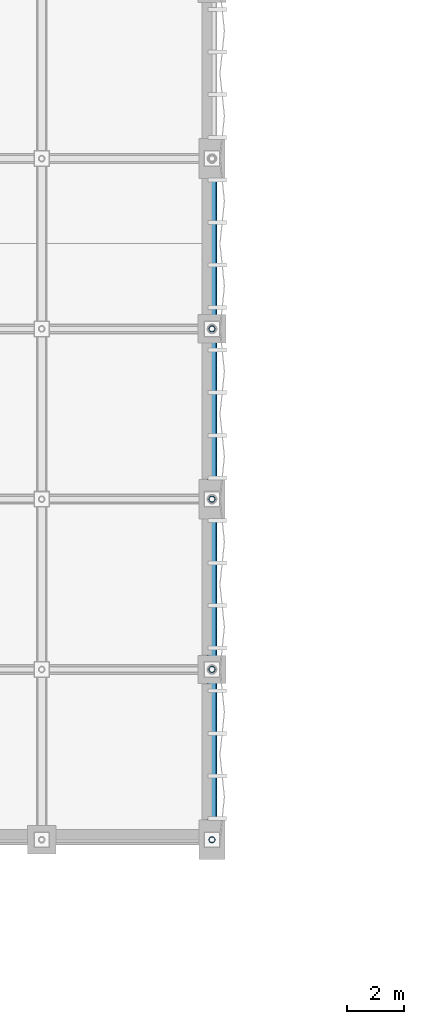
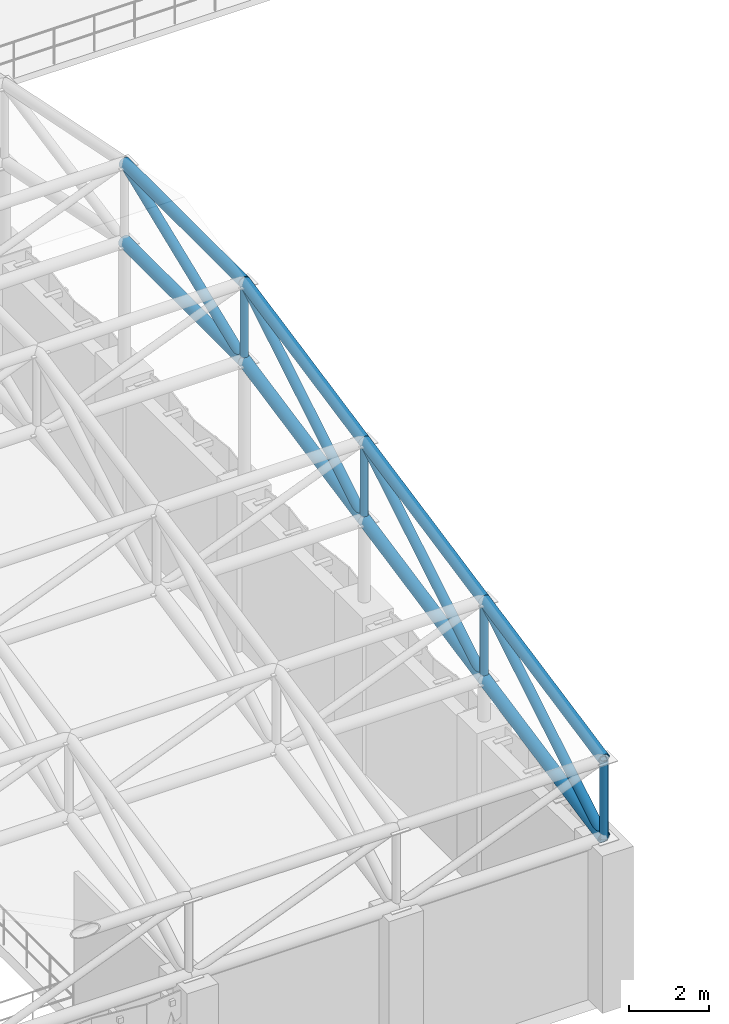
# One storey, part 23 of 112: 16 members.
"""IFC4 building model written with IfcOpenShell, lengths in metres."""

import ifcopenshell
import ifcopenshell.guid

model = None  # the IFC model being written
_history = None  # IfcOwnerHistory: only IFC2X3 demands one
_inside = {}  # id of a spatial element -> (the spatial element, [elements in it])
_under = {}  # id of a project, library or spatial element -> (it, [spatial elements below it])
_declared = {}  # id of a project -> (the project, [libraries it declares])
_typed = {}  # id of a type object -> (the type object, [elements of that type])
_made_of = {}  # id of a material, layer set ... -> (it, [elements and type objects made of it])


def new_model(schema):
    """Start an empty IFC model of exactly this schema.

    Asked for "IFC4X3", IfcOpenShell would pick the latest addendum, in which some entities
    have other attributes; the version numbers below select the first issue.
    IFC2X3 requires an IfcOwnerHistory on every rooted entity: one is made here for all.
    """
    global model, _history
    if schema == "IFC4X3":
        model = ifcopenshell.file(schema_version=(4, 3, 0, 0))
    else:
        model = ifcopenshell.file(schema=schema)
    _inside.clear()
    _under.clear()
    _declared.clear()
    _typed.clear()
    _made_of.clear()
    _history = None
    if model.schema == "IFC2X3":
        org = make("IfcOrganization", Name="unknown")
        user = make(
            "IfcPersonAndOrganization",
            ThePerson=make("IfcPerson", FamilyName="unknown"),
            TheOrganization=org,
        )
        app = make(
            "IfcApplication",
            ApplicationDeveloper=org,
            Version="unknown",
            ApplicationFullName="unknown",
            ApplicationIdentifier="unknown",
        )
        _history = make(
            "IfcOwnerHistory",
            OwningUser=user,
            OwningApplication=app,
            ChangeAction="ADDED",
            CreationDate=0,
        )
    return model


def make(cls, **values):
    """One entity of the class cls with the attributes given. An attribute that is None is left unset."""
    return model.create_entity(
        cls, **{name: value for name, value in values.items() if value is not None}
    )


def rooted(cls, **values):
    """An entity with a GlobalId (a new one), such as an element, a storey or a relation."""
    return make(cls, GlobalId=ifcopenshell.guid.new(), OwnerHistory=_history, **values)


def si_unit(unit_type, name, prefix=None):
    """IfcSIUnit, for example si_unit("LENGTHUNIT", "METRE", prefix="MILLI")."""
    return make("IfcSIUnit", UnitType=unit_type, Prefix=prefix, Name=name)


def assignment(units):
    """IfcUnitAssignment: the units of a project."""
    return None if units is None else make("IfcUnitAssignment", Units=units)


def point(xyz):
    """IfcCartesianPoint."""
    return None if xyz is None else make("IfcCartesianPoint", Coordinates=xyz)


def direction(xyz):
    """IfcDirection."""
    return None if xyz is None else make("IfcDirection", DirectionRatios=xyz)


def frame(location, z_axis=None, x_axis=None):
    """IfcAxis2Placement3D, a coordinate frame: its origin and axes. An axis left out is left unset."""
    return make(
        "IfcAxis2Placement3D",
        Location=point(location),
        Axis=direction(z_axis),
        RefDirection=direction(x_axis),
    )


def frame_2d(location, x_axis=None):
    """IfcAxis2Placement2D, a coordinate frame in the plane: its origin and x axis."""
    return make(
        "IfcAxis2Placement2D", Location=point(location), RefDirection=direction(x_axis)
    )


def origin():
    """The frame at (0, 0, 0) with its axes left unset."""
    return frame((0.0, 0.0, 0.0))


def origin_2d():
    """The frame at (0, 0) in the plane with its x axis left unset."""
    return frame_2d((0.0, 0.0))


def place(relative_to, where):
    """IfcLocalPlacement: puts the frame where relative to a parent placement (None: the world)."""
    return make(
        "IfcLocalPlacement", PlacementRelTo=relative_to, RelativePlacement=where
    )


def context(
    kind, dimensions, precision=None, world=None, true_north=None, identifier=None
):
    """IfcGeometricRepresentationContext, for example the 3D "Model" context."""
    return make(
        "IfcGeometricRepresentationContext",
        ContextIdentifier=identifier,
        ContextType=kind,
        CoordinateSpaceDimension=dimensions,
        Precision=precision,
        WorldCoordinateSystem=world,
        TrueNorth=true_north,
    )


def subcontext(parent, identifier, kind, view, scale=None):
    """IfcGeometricRepresentationSubContext, for example "Body" below "Model"."""
    return make(
        "IfcGeometricRepresentationSubContext",
        ContextIdentifier=identifier,
        ContextType=kind,
        ParentContext=parent,
        TargetScale=scale,
        TargetView=view,
    )


def project(units=None, contexts=None):
    """IfcProject with its units and contexts."""
    return rooted(
        "IfcProject",
        Name="project",
        RepresentationContexts=contexts,
        UnitsInContext=assignment(units),
    )


def spatial(cls, under=None, at=None, **own):
    """A site, building, storey or space (cls), placed at a placement, below another one or the project."""
    s = rooted(cls, ObjectPlacement=at, **own)
    if under is not None:
        _under.setdefault(under.id(), (under, []))[1].append(s)
    return s


def profile(cls, at=None, kind="AREA", **sizes):
    """A parametric profile (cls). Its sizes go by their IFC names, for example OverallWidth=200.0."""
    return make(cls, ProfileType=kind, Position=at, **sizes)


def hollow_circle(**sizes):
    """IfcCircleHollowProfileDef."""
    return profile("IfcCircleHollowProfileDef", **sizes)


def extrude(swept, where, along, depth):
    """IfcExtrudedAreaSolid: the profile swept, set in the frame where, extruded along a direction by depth."""
    return make(
        "IfcExtrudedAreaSolid",
        SweptArea=swept,
        Position=where,
        ExtrudedDirection=direction(along),
        Depth=depth,
    )


def shape(context_of_items, identifier, shape_type, items):
    """IfcShapeRepresentation: the items that make up one representation, for example the "Body"."""
    return make(
        "IfcShapeRepresentation",
        ContextOfItems=context_of_items,
        RepresentationIdentifier=identifier,
        RepresentationType=shape_type,
        Items=items,
    )


def material(Name=None, Category=None):
    """IfcMaterial."""
    return make("IfcMaterial", Name=Name, Category=Category)


def material_profile(
    of_material, cross_section, Name=None, Category=None, Priority=None
):
    """IfcMaterialProfile: a cross section and its material."""
    return make(
        "IfcMaterialProfile",
        Name=Name,
        Material=of_material,
        Profile=cross_section,
        Priority=Priority,
        Category=Category,
    )


def profile_set(profiles, Name=None, composite=None):
    """IfcMaterialProfileSet."""
    return make(
        "IfcMaterialProfileSet",
        Name=Name,
        MaterialProfiles=profiles,
        CompositeProfile=composite,
    )


def made_of(thing, what):
    """Note that an element or type object is made of a material, layer set ...; save() writes the relation."""
    if what is not None:
        _made_of.setdefault(what.id(), (what, []))[1].append(thing)
    return thing


def type_object(cls, material=None, **own):
    """A type object (cls), such as IfcWallType, which elements share."""
    return made_of(rooted(cls, **own), material)


def element(
    cls,
    number,
    at=None,
    inside=None,
    cuts=None,
    type_object=None,
    material=None,
    context=None,
    identifier="Body",
    shape_type=None,
    held_by="IfcProductDefinitionShape",
    body=None,
    shapes=None,
    **own,
):
    """One element of the class cls, such as IfcWall. Its Tag is "e" and its number.

    at: its placement. inside: the storey or other place that contains it. cuts: it is an
    opening in that element (IfcRelVoidsElement). A single representation is given by context,
    identifier, shape_type and body (its items); several are given by shapes. held_by: the class
    of the entity that holds the representations. save() writes the other relations.
    """
    e = rooted(cls, Tag="e%d" % number, ObjectPlacement=at, **own)
    if body is not None:
        shapes = [shape(context, identifier, shape_type, body)]
    if shapes is not None:
        e.Representation = make(held_by, Representations=shapes)
    if inside is not None:
        _inside.setdefault(inside.id(), (inside, []))[1].append(e)
    if cuts is not None:
        rooted(
            "IfcRelVoidsElement", RelatingBuildingElement=cuts, RelatedOpeningElement=e
        )
    if type_object is not None:
        _typed.setdefault(type_object.id(), (type_object, []))[1].append(e)
    return made_of(e, material)


def aggregate(whole, parts):
    """IfcRelAggregates: a whole, such as a stair, and the parts it consists of."""
    return rooted("IfcRelAggregates", RelatingObject=whole, RelatedObjects=parts)


def save(model, path):
    """Write the relations noted so far, then the file.

    IfcRelAggregates (storeys below a building ...), IfcRelContainedInSpatialStructure (elements
    in a storey), IfcRelDefinesByType, IfcRelAssociatesMaterial and IfcRelDeclares: one each for
    every whole, place, type object, material and project.
    """
    for whole, parts in _under.values():
        aggregate(whole, parts)
    for where, things in _inside.values():
        rooted(
            "IfcRelContainedInSpatialStructure",
            RelatedElements=things,
            RelatingStructure=where,
        )
    for kind, things in _typed.values():
        rooted("IfcRelDefinesByType", RelatedObjects=things, RelatingType=kind)
    for what, things in _made_of.values():
        rooted("IfcRelAssociatesMaterial", RelatedObjects=things, RelatingMaterial=what)
    for by, libraries in _declared.values():
        rooted("IfcRelDeclares", RelatingContext=by, RelatedDefinitions=libraries)
    model.write(path)


model = new_model("IFC4")

# Units and contexts
model_context = context("Model", 3, precision=1e-05, world=origin(), true_north=direction((0.0, 1.0)))
body_context = subcontext(model_context, "Body", "Model", "MODEL_VIEW")
ifc_project = project(units=[si_unit("LENGTHUNIT", "METRE"), si_unit("AREAUNIT", "SQUARE_METRE"), si_unit("VOLUMEUNIT", "CUBIC_METRE"), si_unit("PLANEANGLEUNIT", "RADIAN"), si_unit("MASSUNIT", "GRAM", prefix="KILO"), si_unit("THERMODYNAMICTEMPERATUREUNIT", "KELVIN"), si_unit("POWERUNIT", "WATT")], contexts=[model_context])

# Site, building, storey
site_placement = place(None, origin())
site = spatial("IfcSite", under=ifc_project, at=site_placement, CompositionType="ELEMENT")
building_placement = place(site_placement, origin())
building = spatial("IfcBuilding", under=site, at=building_placement, Name="Phaisarnlok Congress Hotel", CompositionType="ELEMENT")
storey_placement = place(building_placement, frame((0.0, 0.0, 19.800048828125)))
storey = spatial("IfcBuildingStorey", under=building, at=storey_placement, Name="L04", CompositionType="ELEMENT", Elevation=19.800048828125)

# Members
ifc_material = material(Name="Steel S355", Category="steel")
ifc_material_profile_1 = material_profile(ifc_material, hollow_circle(Radius=0.109619140625, WallThickness=0.012451171875, at=origin_2d()), Name="CHS 219.1x12.5")
ifc_profile_set_1 = profile_set([ifc_material_profile_1], Name="Steel S355")
member_type_1 = type_object("IfcMemberType", Name="MEM-BRC-CHS219", PredefinedType="BRACE", material=ifc_profile_set_1)
for number, where, z_axis, x_axis, name in (
    (1, (66.0, 42.0, 4.800048828125), (0.0, 0.0, 1.0), (1.0, 0.0, 0.0), "Congress Hall space frame vertical brace TB-02"),
    (2, (66.0, 48.0, 6.020751953125), (0.0, 0.0, 1.0), (1.0, 0.0, 0.0), "Congress Hall space frame vertical brace TB-02"),
    (3, (66.0, 54.0, 7.241455078125), (0.0, 0.0, 1.0), (1.0, 0.0, 0.0), "Congress Hall space frame vertical brace TB-02"),
    (4, (66.0, 60.0, 8.462158203125), (0.0, 0.0, 1.0), (1.0, 0.0, 0.0), "Congress Hall space frame vertical brace TB-02"),
):
    element("IfcMember", number, at=place(storey_placement, frame(where, z_axis=z_axis, x_axis=x_axis)), inside=storey, type_object=member_type_1, Name=name, PredefinedType="BRACE", context=body_context, shape_type="SweptSolid", body=[
        extrude(hollow_circle(Radius=0.109619140625, WallThickness=0.012451171875, at=origin_2d()), origin(), (0.0, 0.0, 1.0), 2.39990234375),
    ])
ifc_material_profile_2 = material_profile(ifc_material, hollow_circle(Radius=0.136474609375, WallThickness=0.01611328125, at=origin_2d()), Name="CHS 273x16")
ifc_profile_set_2 = profile_set([ifc_material_profile_2], Name="Steel S355")
member_type_2 = type_object("IfcMemberType", Name="MEM-BRC-CHS273", PredefinedType="BRACE", material=ifc_profile_set_2)
for number, where, z_axis, x_axis, name in (
    (5, (66.0, 42.0, 4.800048828125), (0.0, 0.856192975252, 0.516656161417), (-1.0, 0.0, 0.0), "Congress Hall space frame raking brace TB-03"),
    (6, (66.0, 48.0, 6.020751953125), (0.0, 0.856192975252, 0.516656161417), (-1.0, 0.0, 0.0), "Congress Hall space frame raking brace TB-03"),
    (7, (66.0, 54.0, 7.241455078125), (0.0, 0.856192975252, 0.516656161417), (-1.0, 0.0, 0.0), "Congress Hall space frame raking brace TB-03"),
):
    element("IfcMember", number, at=place(storey_placement, frame(where, z_axis=z_axis, x_axis=x_axis)), inside=storey, type_object=member_type_2, Name=name, PredefinedType="BRACE", context=body_context, shape_type="SweptSolid", body=[
        extrude(hollow_circle(Radius=0.136474609375, WallThickness=0.01611328125, at=origin_2d()), origin(), (0.0, 0.0, 1.0), 7.0078125),
    ])
member_1_placement = place(storey_placement, frame((66.0, 60.0, 8.462158203125), z_axis=(0.0, 0.928481901832, 0.371377648723), x_axis=(-1.0, 0.0, 0.0)))
element("IfcMember", 8, at=member_1_placement, inside=storey, type_object=member_type_2, Name="Congress Hall space frame raking brace TB-03", PredefinedType="BRACE", context=body_context, shape_type="SweptSolid", body=[
    extrude(hollow_circle(Radius=0.136474609375, WallThickness=0.01611328125, at=origin_2d()), origin(), (0.0, 0.0, 1.0), 6.462158203125),
])
ifc_material_profile_3 = material_profile(ifc_material, hollow_circle(Radius=0.161865234375, WallThickness=0.01611328125, at=origin_2d()), Name="CHS 323.9x16")
ifc_profile_set_3 = profile_set([ifc_material_profile_3], Name="Steel S355")
member_type_3 = type_object("IfcMemberType", Name="MEM-CHD-CHS324", PredefinedType="CHORD", material=ifc_profile_set_3)
for number, where, z_axis, x_axis, name in (
    (9, (66.0, 42.0, 7.199951171875), (0.0, 0.979925045119, 0.199366260807), (-1.0, 0.0, 0.0), "Congress Hall space frame top chord TC-02"),
    (10, (66.0, 48.0, 8.420654296875), (0.0, 0.979925045119, 0.199366260807), (-1.0, 0.0, 0.0), "Congress Hall space frame top chord TC-02"),
    (11, (66.0, 54.0, 9.641357421875), (0.0, 0.979925045119, 0.199366260807), (-1.0, 0.0, 0.0), "Congress Hall space frame top chord TC-02"),
):
    element("IfcMember", number, at=place(storey_placement, frame(where, z_axis=z_axis, x_axis=x_axis)), inside=storey, type_object=member_type_3, Name=name, PredefinedType="CHORD", context=body_context, shape_type="SweptSolid", body=[
        extrude(hollow_circle(Radius=0.161865234375, WallThickness=0.01611328125, at=origin_2d()), origin(), (0.0, 0.0, 1.0), 6.122802734375),
    ])
member_2_placement = place(storey_placement, frame((66.0, 60.0, 10.862060546875), z_axis=(0.0, 1.0, 0.0), x_axis=(-1.0, 0.0, 0.0)))
element("IfcMember", 12, at=member_2_placement, inside=storey, type_object=member_type_3, Name="Congress Hall space frame top chord TC-02", PredefinedType="CHORD", context=body_context, shape_type="SweptSolid", body=[
    extrude(hollow_circle(Radius=0.161865234375, WallThickness=0.01611328125, at=origin_2d()), origin(), (0.0, 0.0, 1.0), 6.0),
])
ifc_material_profile_4 = material_profile(ifc_material, hollow_circle(Radius=0.177734375, WallThickness=0.02001953125, at=origin_2d()), Name="CHS 355.6x20")
ifc_profile_set_4 = profile_set([ifc_material_profile_4], Name="Steel S355")
member_type_4 = type_object("IfcMemberType", Name="MEM-CHD-CHS356", PredefinedType="CHORD", material=ifc_profile_set_4)
for number, where, z_axis, x_axis, name in (
    (13, (66.0, 42.0, 4.800048828125), (0.0, 0.979925045119, 0.199366260807), (-1.0, 0.0, 0.0), "Congress Hall space frame bottom chord TC-01"),
    (14, (66.0, 48.0, 6.020751953125), (0.0, 0.979925045119, 0.199366260807), (-1.0, 0.0, 0.0), "Congress Hall space frame bottom chord TC-01"),
    (15, (66.0, 54.0, 7.241455078125), (0.0, 0.979925045119, 0.199366260807), (-1.0, 0.0, 0.0), "Congress Hall space frame bottom chord TC-01"),
):
    element("IfcMember", number, at=place(storey_placement, frame(where, z_axis=z_axis, x_axis=x_axis)), inside=storey, type_object=member_type_4, Name=name, PredefinedType="CHORD", context=body_context, shape_type="SweptSolid", body=[
        extrude(hollow_circle(Radius=0.177734375, WallThickness=0.02001953125, at=origin_2d()), origin(), (0.0, 0.0, 1.0), 6.122802734375),
    ])
member_3_placement = place(storey_placement, frame((66.0, 60.0, 8.462158203125), z_axis=(0.0, 1.0, 0.0), x_axis=(-1.0, 0.0, 0.0)))
element("IfcMember", 16, at=member_3_placement, inside=storey, type_object=member_type_4, Name="Congress Hall space frame bottom chord TC-01", PredefinedType="CHORD", context=body_context, shape_type="SweptSolid", body=[
    extrude(hollow_circle(Radius=0.177734375, WallThickness=0.02001953125, at=origin_2d()), origin(), (0.0, 0.0, 1.0), 6.0),
])

save(model, "model.ifc")
